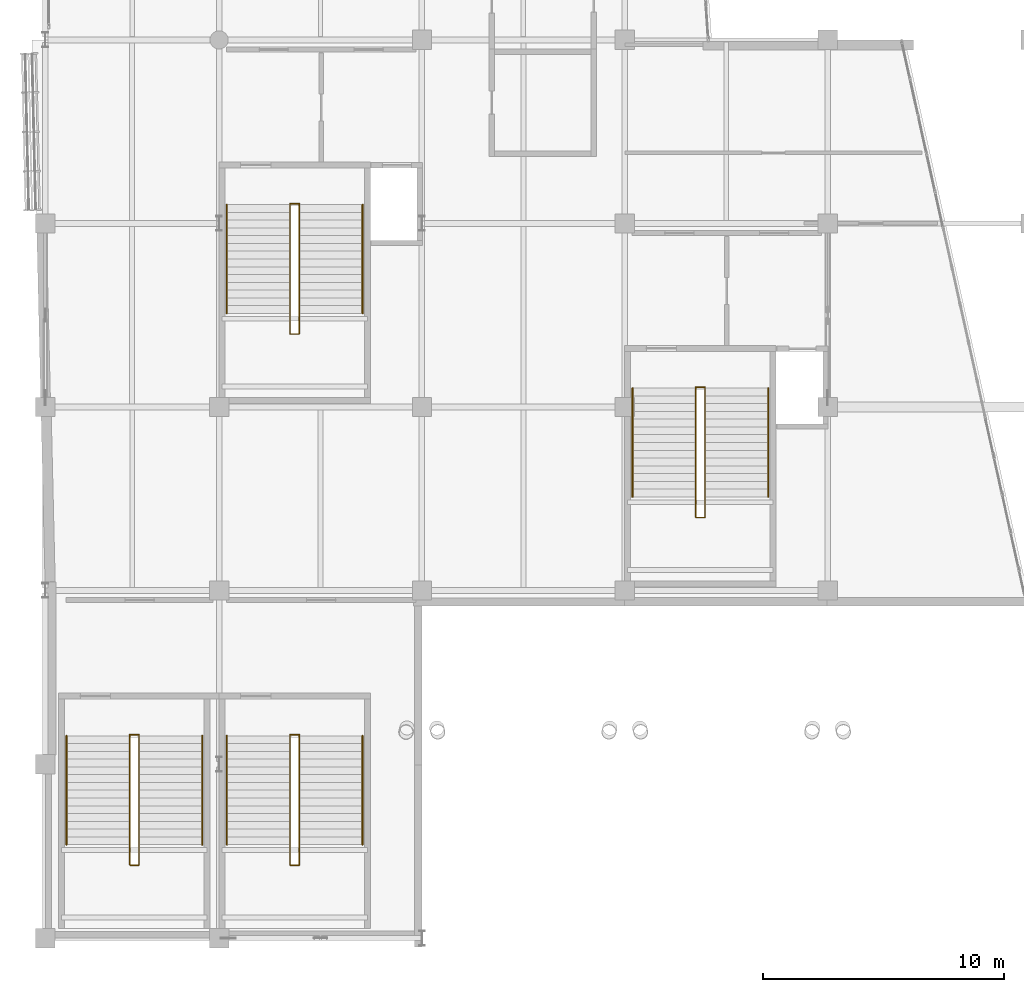
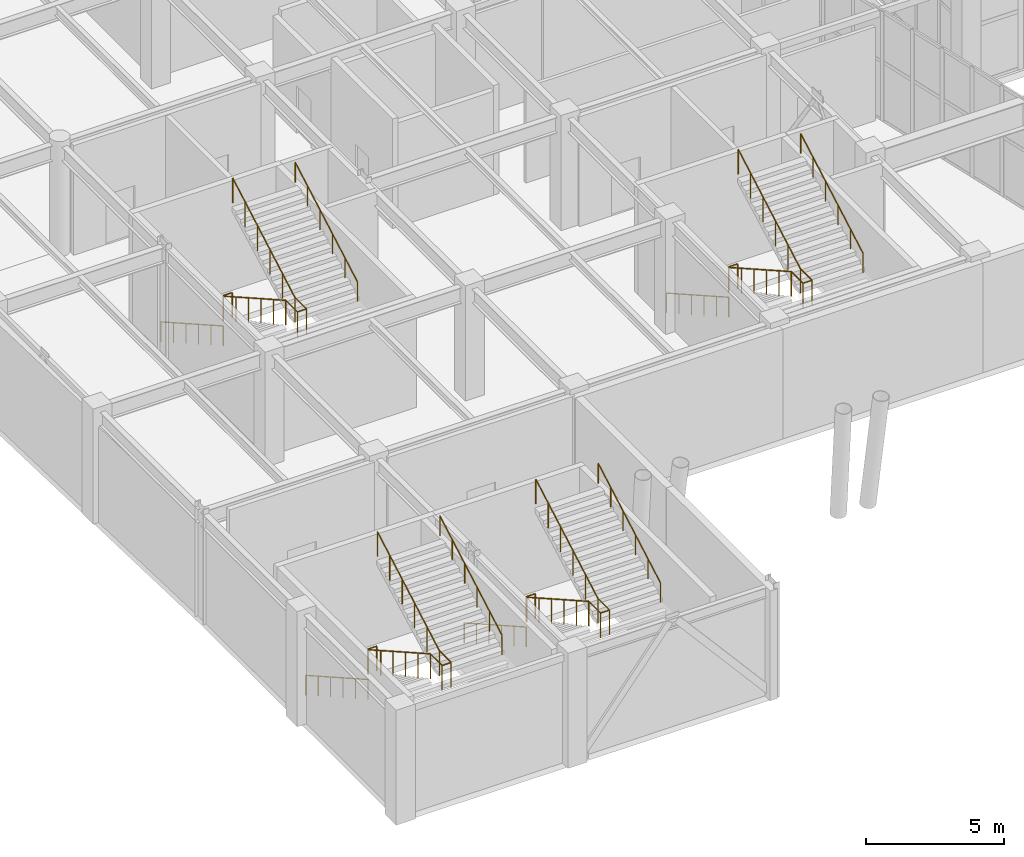
# One storey, part 123 of 128: 16 railings.
"""IFC4 building model written with IfcOpenShell, lengths in metres."""

from ifc_helpers import new_model, si_unit, direction, frame, origin, origin_2d, place, context, subcontext, project, spatial, circle, extrude, material, type_object, element, save


model = new_model("IFC4")

# Units and contexts
model_context = context("Model", 3, precision=1e-05, world=origin(), true_north=direction((0.0, 1.0)))
body_context = subcontext(model_context, "Body", "Model", "MODEL_VIEW")
ifc_project = project(units=[si_unit("LENGTHUNIT", "METRE"), si_unit("AREAUNIT", "SQUARE_METRE"), si_unit("VOLUMEUNIT", "CUBIC_METRE"), si_unit("PLANEANGLEUNIT", "RADIAN"), si_unit("MASSUNIT", "GRAM", prefix="KILO")], contexts=[model_context])

# Site, building, storey
site_placement = place(None, origin())
site = spatial("IfcSite", under=ifc_project, at=site_placement, CompositionType="ELEMENT")
building_placement = place(site_placement, origin())
building = spatial("IfcBuilding", under=site, at=building_placement, Name="Xicomal Pleat Aquarium", CompositionType="ELEMENT")
storey_placement = place(building_placement, frame((0.0, 0.0, 5.39990234375)))
storey = spatial("IfcBuildingStorey", under=building, at=storey_placement, Name="L02", CompositionType="ELEMENT", Elevation=5.39990234375)

# Railings
ifc_material_1 = material(Name="Brushed stainless steel 316L", Category="steel")
railing_type_1 = type_object("IfcRailingType", Name="RAL-HR-900", PredefinedType="HANDRAIL", material=ifc_material_1)
railing_1_placement = place(storey_placement, frame((10.52001953125, 31.179931640625, 0.0)))
element("IfcRailing", 1, at=railing_1_placement, inside=storey, type_object=railing_type_1, Name="ST-01-L02 flight 1 handrail", PredefinedType="HANDRAIL", context=body_context, shape_type="SweptSolid", body=[
    extrude(circle(Radius=0.02392578125, at=origin_2d()), frame((0.0, 0.0, 0.8759765625), z_axis=(0.0, -0.870384556315, 0.492372546074), x_axis=(1.0, 0.0, 0.0)), (0.0, 0.0, 1.0), 5.17919921875),
    extrude(circle(Radius=0.02099609375, at=origin_2d()), origin(), (0.0, 0.0, 1.0), 0.851806640625),
    extrude(circle(Radius=0.02099609375, at=origin_2d()), frame((0.0, -0.901611328125, 0.510009765625)), (0.0, 0.0, 1.0), 0.851806640625),
    extrude(circle(Radius=0.02099609375, at=origin_2d()), frame((0.0, -1.80322265625, 1.02001953125)), (0.0, 0.0, 1.0), 0.851806640625),
    extrude(circle(Radius=0.02099609375, at=origin_2d()), frame((0.0, -2.70458984375, 1.530029296875)), (0.0, 0.0, 1.0), 0.851806640625),
    extrude(circle(Radius=0.02099609375, at=origin_2d()), frame((0.0, -3.606201171875, 2.0400390625)), (0.0, 0.0, 1.0), 0.851806640625),
    extrude(circle(Radius=0.02099609375, at=origin_2d()), frame((0.0, -4.5078125, 2.550048828125)), (0.0, 0.0, 1.0), 0.851806640625),
])
railing_2_placement = place(storey_placement, frame((16.139892578125, 26.672119140625, 2.550048828125)))
element("IfcRailing", 2, at=railing_2_placement, inside=storey, type_object=railing_type_1, Name="ST-01-L02 flight 2 handrail", PredefinedType="HANDRAIL", context=body_context, shape_type="SweptSolid", body=[
    extrude(circle(Radius=0.02392578125, at=origin_2d()), frame((0.0, 0.0, 0.8759765625), z_axis=(0.0, 0.870384556315, 0.492372546074), x_axis=(-1.0, 0.0, 0.0)), (0.0, 0.0, 1.0), 5.17919921875),
    extrude(circle(Radius=0.02099609375, at=origin_2d()), origin(), (0.0, 0.0, 1.0), 0.851806640625),
    extrude(circle(Radius=0.02099609375, at=origin_2d()), frame((0.0, 0.901611328125, 0.510009765625)), (0.0, 0.0, 1.0), 0.851806640625),
    extrude(circle(Radius=0.02099609375, at=origin_2d()), frame((0.0, 1.80322265625, 1.02001953125)), (0.0, 0.0, 1.0), 0.851806640625),
    extrude(circle(Radius=0.02099609375, at=origin_2d()), frame((0.0, 2.70458984375, 1.530029296875)), (0.0, 0.0, 1.0), 0.851806640625),
    extrude(circle(Radius=0.02099609375, at=origin_2d()), frame((0.0, 3.606201171875, 2.0400390625)), (0.0, 0.0, 1.0), 0.851806640625),
    extrude(circle(Radius=0.02099609375, at=origin_2d()), frame((0.0, 4.5078125, 2.550048828125)), (0.0, 0.0, 1.0), 0.851806640625),
])
railing_3_placement = place(storey_placement, frame((27.320068359375, 23.580078125, 0.0)))
element("IfcRailing", 3, at=railing_3_placement, inside=storey, type_object=railing_type_1, Name="ST-02-L02 flight 1 handrail", PredefinedType="HANDRAIL", context=body_context, shape_type="SweptSolid", body=[
    extrude(circle(Radius=0.02392578125, at=origin_2d()), frame((0.0, 0.0, 0.8759765625), z_axis=(0.0, -0.870395983686, 0.492352344955), x_axis=(1.0, 0.0, 0.0)), (0.0, 0.0, 1.0), 5.17919921875),
    extrude(circle(Radius=0.02099609375, at=origin_2d()), origin(), (0.0, 0.0, 1.0), 0.851806640625),
    extrude(circle(Radius=0.02099609375, at=origin_2d()), frame((0.0, -0.901611328125, 0.510009765625)), (0.0, 0.0, 1.0), 0.851806640625),
    extrude(circle(Radius=0.02099609375, at=origin_2d()), frame((0.0, -1.80322265625, 1.02001953125)), (0.0, 0.0, 1.0), 0.851806640625),
    extrude(circle(Radius=0.02099609375, at=origin_2d()), frame((0.0, -2.704833984375, 1.530029296875)), (0.0, 0.0, 1.0), 0.851806640625),
    extrude(circle(Radius=0.02099609375, at=origin_2d()), frame((0.0, -3.6064453125, 2.0400390625)), (0.0, 0.0, 1.0), 0.851806640625),
    extrude(circle(Radius=0.02099609375, at=origin_2d()), frame((0.0, -4.508056640625, 2.550048828125)), (0.0, 0.0, 1.0), 0.851806640625),
])
railing_4_placement = place(storey_placement, frame((32.93994140625, 19.072021484375, 2.550048828125)))
element("IfcRailing", 4, at=railing_4_placement, inside=storey, type_object=railing_type_1, Name="ST-02-L02 flight 2 handrail", PredefinedType="HANDRAIL", context=body_context, shape_type="SweptSolid", body=[
    extrude(circle(Radius=0.02392578125, at=origin_2d()), frame((0.0, 0.0, 0.8759765625), z_axis=(0.0, 0.870395983686, 0.492352344955), x_axis=(-1.0, 0.0, 0.0)), (0.0, 0.0, 1.0), 5.17919921875),
    extrude(circle(Radius=0.02099609375, at=origin_2d()), origin(), (0.0, 0.0, 1.0), 0.851806640625),
    extrude(circle(Radius=0.02099609375, at=origin_2d()), frame((0.0, 0.901611328125, 0.510009765625)), (0.0, 0.0, 1.0), 0.851806640625),
    extrude(circle(Radius=0.02099609375, at=origin_2d()), frame((0.0, 1.80322265625, 1.02001953125)), (0.0, 0.0, 1.0), 0.851806640625),
    extrude(circle(Radius=0.02099609375, at=origin_2d()), frame((0.0, 2.704833984375, 1.530029296875)), (0.0, 0.0, 1.0), 0.851806640625),
    extrude(circle(Radius=0.02099609375, at=origin_2d()), frame((0.0, 3.6064453125, 2.0400390625)), (0.0, 0.0, 1.0), 0.851806640625),
    extrude(circle(Radius=0.02099609375, at=origin_2d()), frame((0.0, 4.508056640625, 2.550048828125)), (0.0, 0.0, 1.0), 0.851806640625),
])
railing_5_placement = place(storey_placement, frame((10.52001953125, 9.179931640625, 0.0)))
element("IfcRailing", 5, at=railing_5_placement, inside=storey, type_object=railing_type_1, Name="ST-09-L02 flight 1 handrail", PredefinedType="HANDRAIL", context=body_context, shape_type="SweptSolid", body=[
    extrude(circle(Radius=0.02392578125, at=origin_2d()), frame((0.0, 0.0, 0.8759765625), z_axis=(0.0, -0.870384556315, 0.492372546074), x_axis=(1.0, 0.0, 0.0)), (0.0, 0.0, 1.0), 5.17919921875),
    extrude(circle(Radius=0.02099609375, at=origin_2d()), origin(), (0.0, 0.0, 1.0), 0.851806640625),
    extrude(circle(Radius=0.02099609375, at=origin_2d()), frame((0.0, -0.901611328125, 0.510009765625)), (0.0, 0.0, 1.0), 0.851806640625),
    extrude(circle(Radius=0.02099609375, at=origin_2d()), frame((0.0, -1.80322265625, 1.02001953125)), (0.0, 0.0, 1.0), 0.851806640625),
    extrude(circle(Radius=0.02099609375, at=origin_2d()), frame((0.0, -2.70458984375, 1.530029296875)), (0.0, 0.0, 1.0), 0.851806640625),
    extrude(circle(Radius=0.02099609375, at=origin_2d()), frame((0.0, -3.606201171875, 2.0400390625)), (0.0, 0.0, 1.0), 0.851806640625),
    extrude(circle(Radius=0.02099609375, at=origin_2d()), frame((0.0, -4.5078125, 2.550048828125)), (0.0, 0.0, 1.0), 0.851806640625),
])
railing_6_placement = place(storey_placement, frame((16.139892578125, 4.672119140625, 2.550048828125)))
element("IfcRailing", 6, at=railing_6_placement, inside=storey, type_object=railing_type_1, Name="ST-09-L02 flight 2 handrail", PredefinedType="HANDRAIL", context=body_context, shape_type="SweptSolid", body=[
    extrude(circle(Radius=0.02392578125, at=origin_2d()), frame((0.0, 0.0, 0.8759765625), z_axis=(0.0, 0.870384556315, 0.492372546074), x_axis=(-1.0, 0.0, 0.0)), (0.0, 0.0, 1.0), 5.17919921875),
    extrude(circle(Radius=0.02099609375, at=origin_2d()), origin(), (0.0, 0.0, 1.0), 0.851806640625),
    extrude(circle(Radius=0.02099609375, at=origin_2d()), frame((0.0, 0.901611328125, 0.510009765625)), (0.0, 0.0, 1.0), 0.851806640625),
    extrude(circle(Radius=0.02099609375, at=origin_2d()), frame((0.0, 1.80322265625, 1.02001953125)), (0.0, 0.0, 1.0), 0.851806640625),
    extrude(circle(Radius=0.02099609375, at=origin_2d()), frame((0.0, 2.70458984375, 1.530029296875)), (0.0, 0.0, 1.0), 0.851806640625),
    extrude(circle(Radius=0.02099609375, at=origin_2d()), frame((0.0, 3.606201171875, 2.0400390625)), (0.0, 0.0, 1.0), 0.851806640625),
    extrude(circle(Radius=0.02099609375, at=origin_2d()), frame((0.0, 4.5078125, 2.550048828125)), (0.0, 0.0, 1.0), 0.851806640625),
])
railing_7_placement = place(storey_placement, frame((3.8798828125, 9.179931640625, 0.0)))
element("IfcRailing", 7, at=railing_7_placement, inside=storey, type_object=railing_type_1, Name="ST-10-L02 flight 1 handrail", PredefinedType="HANDRAIL", context=body_context, shape_type="SweptSolid", body=[
    extrude(circle(Radius=0.02392578125, at=origin_2d()), frame((0.0, 0.0, 0.8759765625), z_axis=(0.0, -0.870384556315, 0.492372546074), x_axis=(1.0, 0.0, 0.0)), (0.0, 0.0, 1.0), 5.17919921875),
    extrude(circle(Radius=0.02099609375, at=origin_2d()), origin(), (0.0, 0.0, 1.0), 0.851806640625),
    extrude(circle(Radius=0.02099609375, at=origin_2d()), frame((0.0, -0.901611328125, 0.510009765625)), (0.0, 0.0, 1.0), 0.851806640625),
    extrude(circle(Radius=0.02099609375, at=origin_2d()), frame((0.0, -1.80322265625, 1.02001953125)), (0.0, 0.0, 1.0), 0.851806640625),
    extrude(circle(Radius=0.02099609375, at=origin_2d()), frame((0.0, -2.70458984375, 1.530029296875)), (0.0, 0.0, 1.0), 0.851806640625),
    extrude(circle(Radius=0.02099609375, at=origin_2d()), frame((0.0, -3.606201171875, 2.0400390625)), (0.0, 0.0, 1.0), 0.851806640625),
    extrude(circle(Radius=0.02099609375, at=origin_2d()), frame((0.0, -4.5078125, 2.550048828125)), (0.0, 0.0, 1.0), 0.851806640625),
])
railing_8_placement = place(storey_placement, frame((9.5, 4.672119140625, 2.550048828125)))
element("IfcRailing", 8, at=railing_8_placement, inside=storey, type_object=railing_type_1, Name="ST-10-L02 flight 2 handrail", PredefinedType="HANDRAIL", context=body_context, shape_type="SweptSolid", body=[
    extrude(circle(Radius=0.02392578125, at=origin_2d()), frame((0.0, 0.0, 0.8759765625), z_axis=(0.0, 0.870384556315, 0.492372546074), x_axis=(-1.0, 0.0, 0.0)), (0.0, 0.0, 1.0), 5.17919921875),
    extrude(circle(Radius=0.02099609375, at=origin_2d()), origin(), (0.0, 0.0, 1.0), 0.851806640625),
    extrude(circle(Radius=0.02099609375, at=origin_2d()), frame((0.0, 0.901611328125, 0.510009765625)), (0.0, 0.0, 1.0), 0.851806640625),
    extrude(circle(Radius=0.02099609375, at=origin_2d()), frame((0.0, 1.80322265625, 1.02001953125)), (0.0, 0.0, 1.0), 0.851806640625),
    extrude(circle(Radius=0.02099609375, at=origin_2d()), frame((0.0, 2.70458984375, 1.530029296875)), (0.0, 0.0, 1.0), 0.851806640625),
    extrude(circle(Radius=0.02099609375, at=origin_2d()), frame((0.0, 3.606201171875, 2.0400390625)), (0.0, 0.0, 1.0), 0.851806640625),
    extrude(circle(Radius=0.02099609375, at=origin_2d()), frame((0.0, 4.5078125, 2.550048828125)), (0.0, 0.0, 1.0), 0.851806640625),
])
ifc_material_2 = material(Name="Brushed stainless steel 316L", Category="steel")
railing_type_2 = type_object("IfcRailingType", Name="RAL-STG-1120", PredefinedType="GUARDRAIL", material=ifc_material_2)
railing_9_placement = place(storey_placement, frame((13.139892578125, 31.179931640625, 0.0)))
element("IfcRailing", 9, at=railing_9_placement, inside=storey, type_object=railing_type_2, Name="ST-01-L02 inner well guard", PredefinedType="GUARDRAIL", context=body_context, shape_type="SweptSolid", body=[
    extrude(circle(Radius=0.02392578125, at=origin_2d()), frame((0.0, 0.0, 1.09619140625), z_axis=(0.0, -0.870384556315, 0.492372546074), x_axis=(1.0, 0.0, 0.0)), (0.0, 0.0, 1.0), 5.17919921875),
    extrude(circle(Radius=0.02392578125, at=origin_2d()), frame((0.0, -4.5078125, 3.64599609375), z_axis=(0.0, -1.0, 0.0), x_axis=(1.0, 0.0, 0.0)), (0.0, 0.0, 1.0), 0.85009765625),
    extrude(circle(Radius=0.02392578125, at=origin_2d()), frame((0.0, -5.35791015625, 3.64599609375), z_axis=(1.0, 0.0, 0.0), x_axis=(0.0, 1.0, 0.0)), (0.0, 0.0, 1.0), 0.380126953125),
    extrude(circle(Radius=0.02392578125, at=origin_2d()), frame((0.380126953125, -5.35791015625, 3.64599609375), z_axis=(0.0, 1.0, 0.0), x_axis=(-1.0, 0.0, 0.0)), (0.0, 0.0, 1.0), 0.85009765625),
    extrude(circle(Radius=0.02392578125, at=origin_2d()), frame((0.380126953125, -4.5078125, 3.64599609375), z_axis=(0.0, 0.870384556315, 0.492372546074), x_axis=(-1.0, 0.0, 0.0)), (0.0, 0.0, 1.0), 5.17919921875),
    extrude(circle(Radius=0.02099609375, at=origin_2d()), origin(), (0.0, 0.0, 1.0), 1.072021484375),
    extrude(circle(Radius=0.02099609375, at=origin_2d()), frame((0.0, -0.901611328125, 0.510009765625)), (0.0, 0.0, 1.0), 1.072021484375),
    extrude(circle(Radius=0.02099609375, at=origin_2d()), frame((0.0, -1.80322265625, 1.02001953125)), (0.0, 0.0, 1.0), 1.072021484375),
    extrude(circle(Radius=0.02099609375, at=origin_2d()), frame((0.0, -2.70458984375, 1.530029296875)), (0.0, 0.0, 1.0), 1.072021484375),
    extrude(circle(Radius=0.02099609375, at=origin_2d()), frame((0.0, -3.606201171875, 2.0400390625)), (0.0, 0.0, 1.0), 1.072021484375),
    extrude(circle(Radius=0.02099609375, at=origin_2d()), frame((0.0, -4.5078125, 2.550048828125)), (0.0, 0.0, 1.0), 1.072021484375),
    extrude(circle(Radius=0.02099609375, at=origin_2d()), frame((0.0, -5.35791015625, 2.550048828125)), (0.0, 0.0, 1.0), 1.072021484375),
    extrude(circle(Radius=0.02099609375, at=origin_2d()), frame((0.380126953125, -5.35791015625, 2.550048828125)), (0.0, 0.0, 1.0), 1.072021484375),
    extrude(circle(Radius=0.02099609375, at=origin_2d()), frame((0.380126953125, -4.5078125, 2.550048828125)), (0.0, 0.0, 1.0), 1.072021484375),
    extrude(circle(Radius=0.02099609375, at=origin_2d()), frame((0.380126953125, -3.606201171875, 3.06005859375)), (0.0, 0.0, 1.0), 1.072021484375),
    extrude(circle(Radius=0.02099609375, at=origin_2d()), frame((0.380126953125, -2.70458984375, 3.570068359375)), (0.0, 0.0, 1.0), 1.072021484375),
    extrude(circle(Radius=0.02099609375, at=origin_2d()), frame((0.380126953125, -1.80322265625, 4.080078125)), (0.0, 0.0, 1.0), 1.072021484375),
    extrude(circle(Radius=0.02099609375, at=origin_2d()), frame((0.380126953125, -0.901611328125, 4.590087890625)), (0.0, 0.0, 1.0), 1.072021484375),
    extrude(circle(Radius=0.02099609375, at=origin_2d()), frame((0.380126953125, 0.0, 5.10009765625)), (0.0, 0.0, 1.0), 1.072021484375),
])
railing_10_placement = place(storey_placement, frame((13.139892578125, 31.219970703125, 0.0)))
element("IfcRailing", 10, at=railing_10_placement, inside=storey, type_object=railing_type_2, Name="ST-01-L02 floor landing slot guard", PredefinedType="GUARDRAIL", context=body_context, shape_type="SweptSolid", body=[
    extrude(circle(Radius=0.02392578125, at=origin_2d()), frame((0.0, 0.0, 1.09619140625), z_axis=(1.0, 0.0, 0.0), x_axis=(0.0, 1.0, 0.0)), (0.0, 0.0, 1.0), 0.380126953125),
    extrude(circle(Radius=0.02099609375, at=origin_2d()), origin(), (0.0, 0.0, 1.0), 1.072021484375),
    extrude(circle(Radius=0.02099609375, at=origin_2d()), frame((0.380126953125, 0.0, 0.0)), (0.0, 0.0, 1.0), 1.072021484375),
])
railing_11_placement = place(storey_placement, frame((29.93994140625, 23.580078125, 0.0)))
element("IfcRailing", 11, at=railing_11_placement, inside=storey, type_object=railing_type_2, Name="ST-02-L02 inner well guard", PredefinedType="GUARDRAIL", context=body_context, shape_type="SweptSolid", body=[
    extrude(circle(Radius=0.02392578125, at=origin_2d()), frame((0.0, 0.0, 1.09619140625), z_axis=(0.0, -0.870395983686, 0.492352344955), x_axis=(1.0, 0.0, 0.0)), (0.0, 0.0, 1.0), 5.17919921875),
    extrude(circle(Radius=0.02392578125, at=origin_2d()), frame((0.0, -4.508056640625, 3.64599609375), z_axis=(0.0, -1.0, 0.0), x_axis=(1.0, 0.0, 0.0)), (0.0, 0.0, 1.0), 0.85009765625),
    extrude(circle(Radius=0.02392578125, at=origin_2d()), frame((0.0, -5.358154296875, 3.64599609375), z_axis=(1.0, 0.0, 0.0), x_axis=(0.0, 1.0, 0.0)), (0.0, 0.0, 1.0), 0.380126953125),
    extrude(circle(Radius=0.02392578125, at=origin_2d()), frame((0.380126953125, -5.358154296875, 3.64599609375), z_axis=(0.0, 1.0, 0.0), x_axis=(-1.0, 0.0, 0.0)), (0.0, 0.0, 1.0), 0.85009765625),
    extrude(circle(Radius=0.02392578125, at=origin_2d()), frame((0.380126953125, -4.508056640625, 3.64599609375), z_axis=(0.0, 0.870395983686, 0.492352344955), x_axis=(-1.0, 0.0, 0.0)), (0.0, 0.0, 1.0), 5.17919921875),
    extrude(circle(Radius=0.02099609375, at=origin_2d()), origin(), (0.0, 0.0, 1.0), 1.072021484375),
    extrude(circle(Radius=0.02099609375, at=origin_2d()), frame((0.0, -0.901611328125, 0.510009765625)), (0.0, 0.0, 1.0), 1.072021484375),
    extrude(circle(Radius=0.02099609375, at=origin_2d()), frame((0.0, -1.80322265625, 1.02001953125)), (0.0, 0.0, 1.0), 1.072021484375),
    extrude(circle(Radius=0.02099609375, at=origin_2d()), frame((0.0, -2.704833984375, 1.530029296875)), (0.0, 0.0, 1.0), 1.072021484375),
    extrude(circle(Radius=0.02099609375, at=origin_2d()), frame((0.0, -3.6064453125, 2.0400390625)), (0.0, 0.0, 1.0), 1.072021484375),
    extrude(circle(Radius=0.02099609375, at=origin_2d()), frame((0.0, -4.508056640625, 2.550048828125)), (0.0, 0.0, 1.0), 1.072021484375),
    extrude(circle(Radius=0.02099609375, at=origin_2d()), frame((0.0, -5.358154296875, 2.550048828125)), (0.0, 0.0, 1.0), 1.072021484375),
    extrude(circle(Radius=0.02099609375, at=origin_2d()), frame((0.380126953125, -5.358154296875, 2.550048828125)), (0.0, 0.0, 1.0), 1.072021484375),
    extrude(circle(Radius=0.02099609375, at=origin_2d()), frame((0.380126953125, -4.508056640625, 2.550048828125)), (0.0, 0.0, 1.0), 1.072021484375),
    extrude(circle(Radius=0.02099609375, at=origin_2d()), frame((0.380126953125, -3.6064453125, 3.06005859375)), (0.0, 0.0, 1.0), 1.072021484375),
    extrude(circle(Radius=0.02099609375, at=origin_2d()), frame((0.380126953125, -2.704833984375, 3.570068359375)), (0.0, 0.0, 1.0), 1.072021484375),
    extrude(circle(Radius=0.02099609375, at=origin_2d()), frame((0.380126953125, -1.80322265625, 4.080078125)), (0.0, 0.0, 1.0), 1.072021484375),
    extrude(circle(Radius=0.02099609375, at=origin_2d()), frame((0.380126953125, -0.901611328125, 4.590087890625)), (0.0, 0.0, 1.0), 1.072021484375),
    extrude(circle(Radius=0.02099609375, at=origin_2d()), frame((0.380126953125, 0.0, 5.10009765625)), (0.0, 0.0, 1.0), 1.072021484375),
])
railing_12_placement = place(storey_placement, frame((29.93994140625, 23.6201171875, 0.0)))
element("IfcRailing", 12, at=railing_12_placement, inside=storey, type_object=railing_type_2, Name="ST-02-L02 floor landing slot guard", PredefinedType="GUARDRAIL", context=body_context, shape_type="SweptSolid", body=[
    extrude(circle(Radius=0.02392578125, at=origin_2d()), frame((0.0, 0.0, 1.09619140625), z_axis=(1.0, 0.0, 0.0), x_axis=(0.0, 1.0, 0.0)), (0.0, 0.0, 1.0), 0.380126953125),
    extrude(circle(Radius=0.02099609375, at=origin_2d()), origin(), (0.0, 0.0, 1.0), 1.072021484375),
    extrude(circle(Radius=0.02099609375, at=origin_2d()), frame((0.380126953125, 0.0, 0.0)), (0.0, 0.0, 1.0), 1.072021484375),
])
railing_13_placement = place(storey_placement, frame((13.139892578125, 9.179931640625, 0.0)))
element("IfcRailing", 13, at=railing_13_placement, inside=storey, type_object=railing_type_2, Name="ST-09-L02 inner well guard", PredefinedType="GUARDRAIL", context=body_context, shape_type="SweptSolid", body=[
    extrude(circle(Radius=0.02392578125, at=origin_2d()), frame((0.0, 0.0, 1.09619140625), z_axis=(0.0, -0.870384556315, 0.492372546074), x_axis=(1.0, 0.0, 0.0)), (0.0, 0.0, 1.0), 5.17919921875),
    extrude(circle(Radius=0.02392578125, at=origin_2d()), frame((0.0, -4.5078125, 3.64599609375), z_axis=(0.0, -1.0, 0.0), x_axis=(1.0, 0.0, 0.0)), (0.0, 0.0, 1.0), 0.85009765625),
    extrude(circle(Radius=0.02392578125, at=origin_2d()), frame((0.0, -5.35791015625, 3.64599609375), z_axis=(1.0, 0.0, 0.0), x_axis=(0.0, 1.0, 0.0)), (0.0, 0.0, 1.0), 0.380126953125),
    extrude(circle(Radius=0.02392578125, at=origin_2d()), frame((0.380126953125, -5.35791015625, 3.64599609375), z_axis=(0.0, 1.0, 0.0), x_axis=(-1.0, 0.0, 0.0)), (0.0, 0.0, 1.0), 0.85009765625),
    extrude(circle(Radius=0.02392578125, at=origin_2d()), frame((0.380126953125, -4.5078125, 3.64599609375), z_axis=(0.0, 0.870384556315, 0.492372546074), x_axis=(-1.0, 0.0, 0.0)), (0.0, 0.0, 1.0), 5.17919921875),
    extrude(circle(Radius=0.02099609375, at=origin_2d()), origin(), (0.0, 0.0, 1.0), 1.072021484375),
    extrude(circle(Radius=0.02099609375, at=origin_2d()), frame((0.0, -0.901611328125, 0.510009765625)), (0.0, 0.0, 1.0), 1.072021484375),
    extrude(circle(Radius=0.02099609375, at=origin_2d()), frame((0.0, -1.80322265625, 1.02001953125)), (0.0, 0.0, 1.0), 1.072021484375),
    extrude(circle(Radius=0.02099609375, at=origin_2d()), frame((0.0, -2.70458984375, 1.530029296875)), (0.0, 0.0, 1.0), 1.072021484375),
    extrude(circle(Radius=0.02099609375, at=origin_2d()), frame((0.0, -3.606201171875, 2.0400390625)), (0.0, 0.0, 1.0), 1.072021484375),
    extrude(circle(Radius=0.02099609375, at=origin_2d()), frame((0.0, -4.5078125, 2.550048828125)), (0.0, 0.0, 1.0), 1.072021484375),
    extrude(circle(Radius=0.02099609375, at=origin_2d()), frame((0.0, -5.35791015625, 2.550048828125)), (0.0, 0.0, 1.0), 1.072021484375),
    extrude(circle(Radius=0.02099609375, at=origin_2d()), frame((0.380126953125, -5.35791015625, 2.550048828125)), (0.0, 0.0, 1.0), 1.072021484375),
    extrude(circle(Radius=0.02099609375, at=origin_2d()), frame((0.380126953125, -4.5078125, 2.550048828125)), (0.0, 0.0, 1.0), 1.072021484375),
    extrude(circle(Radius=0.02099609375, at=origin_2d()), frame((0.380126953125, -3.606201171875, 3.06005859375)), (0.0, 0.0, 1.0), 1.072021484375),
    extrude(circle(Radius=0.02099609375, at=origin_2d()), frame((0.380126953125, -2.70458984375, 3.570068359375)), (0.0, 0.0, 1.0), 1.072021484375),
    extrude(circle(Radius=0.02099609375, at=origin_2d()), frame((0.380126953125, -1.80322265625, 4.080078125)), (0.0, 0.0, 1.0), 1.072021484375),
    extrude(circle(Radius=0.02099609375, at=origin_2d()), frame((0.380126953125, -0.901611328125, 4.590087890625)), (0.0, 0.0, 1.0), 1.072021484375),
    extrude(circle(Radius=0.02099609375, at=origin_2d()), frame((0.380126953125, 0.0, 5.10009765625)), (0.0, 0.0, 1.0), 1.072021484375),
])
railing_14_placement = place(storey_placement, frame((13.139892578125, 9.219970703125, 0.0)))
element("IfcRailing", 14, at=railing_14_placement, inside=storey, type_object=railing_type_2, Name="ST-09-L02 floor landing slot guard", PredefinedType="GUARDRAIL", context=body_context, shape_type="SweptSolid", body=[
    extrude(circle(Radius=0.02392578125, at=origin_2d()), frame((0.0, 0.0, 1.09619140625), z_axis=(1.0, 0.0, 0.0), x_axis=(0.0, 1.0, 0.0)), (0.0, 0.0, 1.0), 0.380126953125),
    extrude(circle(Radius=0.02099609375, at=origin_2d()), origin(), (0.0, 0.0, 1.0), 1.072021484375),
    extrude(circle(Radius=0.02099609375, at=origin_2d()), frame((0.380126953125, 0.0, 0.0)), (0.0, 0.0, 1.0), 1.072021484375),
])
railing_15_placement = place(storey_placement, frame((6.5, 9.179931640625, 0.0)))
element("IfcRailing", 15, at=railing_15_placement, inside=storey, type_object=railing_type_2, Name="ST-10-L02 inner well guard", PredefinedType="GUARDRAIL", context=body_context, shape_type="SweptSolid", body=[
    extrude(circle(Radius=0.02392578125, at=origin_2d()), frame((0.0, 0.0, 1.09619140625), z_axis=(0.0, -0.870384556315, 0.492372546074), x_axis=(1.0, 0.0, 0.0)), (0.0, 0.0, 1.0), 5.17919921875),
    extrude(circle(Radius=0.02392578125, at=origin_2d()), frame((0.0, -4.5078125, 3.64599609375), z_axis=(0.0, -1.0, 0.0), x_axis=(1.0, 0.0, 0.0)), (0.0, 0.0, 1.0), 0.85009765625),
    extrude(circle(Radius=0.02392578125, at=origin_2d()), frame((0.0, -5.35791015625, 3.64599609375), z_axis=(1.0, 0.0, 0.0), x_axis=(0.0, 1.0, 0.0)), (0.0, 0.0, 1.0), 0.3798828125),
    extrude(circle(Radius=0.02392578125, at=origin_2d()), frame((0.3798828125, -5.35791015625, 3.64599609375), z_axis=(0.0, 1.0, 0.0), x_axis=(-1.0, 0.0, 0.0)), (0.0, 0.0, 1.0), 0.85009765625),
    extrude(circle(Radius=0.02392578125, at=origin_2d()), frame((0.3798828125, -4.5078125, 3.64599609375), z_axis=(0.0, 0.870384556315, 0.492372546074), x_axis=(-1.0, 0.0, 0.0)), (0.0, 0.0, 1.0), 5.17919921875),
    extrude(circle(Radius=0.02099609375, at=origin_2d()), origin(), (0.0, 0.0, 1.0), 1.072021484375),
    extrude(circle(Radius=0.02099609375, at=origin_2d()), frame((0.0, -0.901611328125, 0.510009765625)), (0.0, 0.0, 1.0), 1.072021484375),
    extrude(circle(Radius=0.02099609375, at=origin_2d()), frame((0.0, -1.80322265625, 1.02001953125)), (0.0, 0.0, 1.0), 1.072021484375),
    extrude(circle(Radius=0.02099609375, at=origin_2d()), frame((0.0, -2.70458984375, 1.530029296875)), (0.0, 0.0, 1.0), 1.072021484375),
    extrude(circle(Radius=0.02099609375, at=origin_2d()), frame((0.0, -3.606201171875, 2.0400390625)), (0.0, 0.0, 1.0), 1.072021484375),
    extrude(circle(Radius=0.02099609375, at=origin_2d()), frame((0.0, -4.5078125, 2.550048828125)), (0.0, 0.0, 1.0), 1.072021484375),
    extrude(circle(Radius=0.02099609375, at=origin_2d()), frame((0.0, -5.35791015625, 2.550048828125)), (0.0, 0.0, 1.0), 1.072021484375),
    extrude(circle(Radius=0.02099609375, at=origin_2d()), frame((0.3798828125, -5.35791015625, 2.550048828125)), (0.0, 0.0, 1.0), 1.072021484375),
    extrude(circle(Radius=0.02099609375, at=origin_2d()), frame((0.3798828125, -4.5078125, 2.550048828125)), (0.0, 0.0, 1.0), 1.072021484375),
    extrude(circle(Radius=0.02099609375, at=origin_2d()), frame((0.3798828125, -3.606201171875, 3.06005859375)), (0.0, 0.0, 1.0), 1.072021484375),
    extrude(circle(Radius=0.02099609375, at=origin_2d()), frame((0.3798828125, -2.70458984375, 3.570068359375)), (0.0, 0.0, 1.0), 1.072021484375),
    extrude(circle(Radius=0.02099609375, at=origin_2d()), frame((0.3798828125, -1.80322265625, 4.080078125)), (0.0, 0.0, 1.0), 1.072021484375),
    extrude(circle(Radius=0.02099609375, at=origin_2d()), frame((0.3798828125, -0.901611328125, 4.590087890625)), (0.0, 0.0, 1.0), 1.072021484375),
    extrude(circle(Radius=0.02099609375, at=origin_2d()), frame((0.3798828125, 0.0, 5.10009765625)), (0.0, 0.0, 1.0), 1.072021484375),
])
railing_16_placement = place(storey_placement, frame((6.5, 9.219970703125, 0.0)))
element("IfcRailing", 16, at=railing_16_placement, inside=storey, type_object=railing_type_2, Name="ST-10-L02 floor landing slot guard", PredefinedType="GUARDRAIL", context=body_context, shape_type="SweptSolid", body=[
    extrude(circle(Radius=0.02392578125, at=origin_2d()), frame((0.0, 0.0, 1.09619140625), z_axis=(1.0, 0.0, 0.0), x_axis=(0.0, 1.0, 0.0)), (0.0, 0.0, 1.0), 0.3798828125),
    extrude(circle(Radius=0.02099609375, at=origin_2d()), origin(), (0.0, 0.0, 1.0), 1.072021484375),
    extrude(circle(Radius=0.02099609375, at=origin_2d()), frame((0.3798828125, 0.0, 0.0)), (0.0, 0.0, 1.0), 1.072021484375),
])

save(model, "model.ifc")
